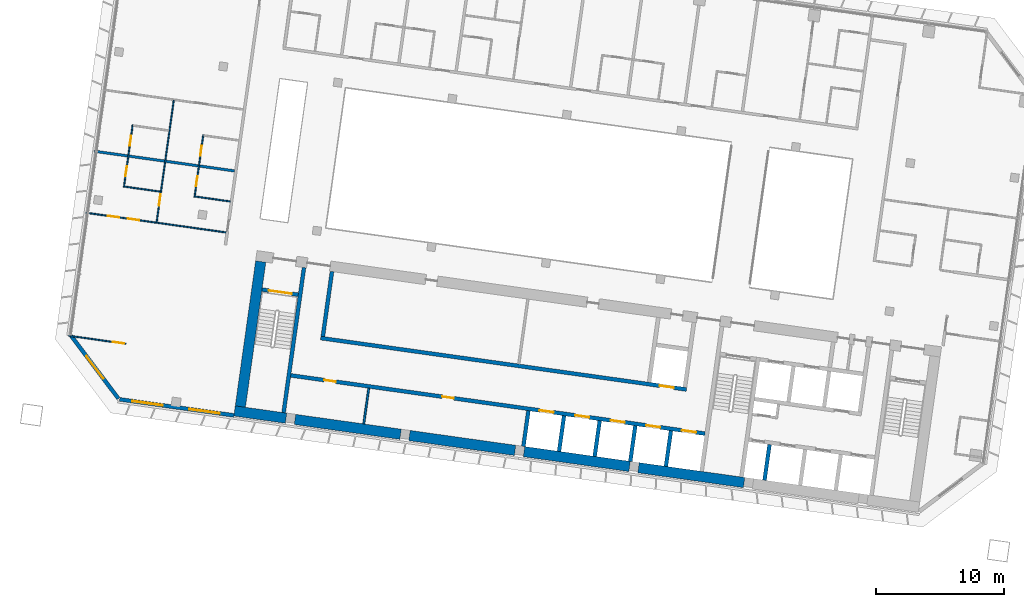
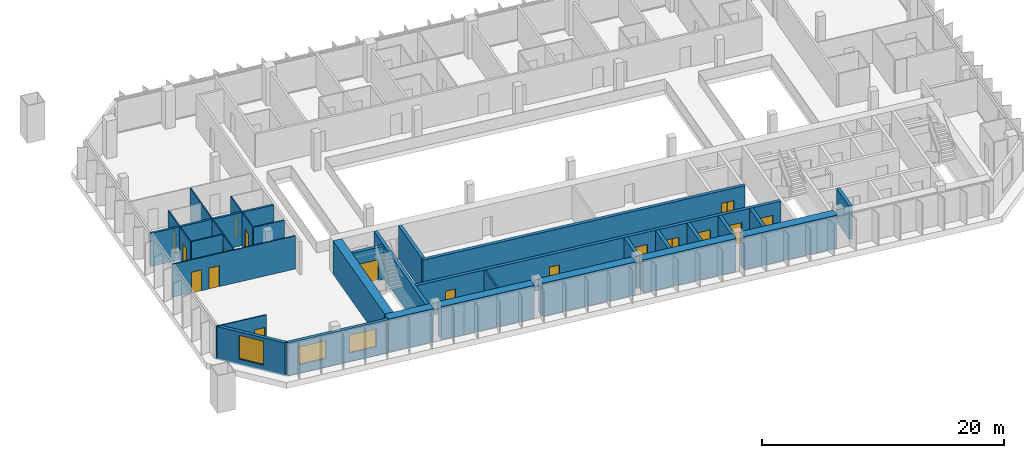
# One storey, part 14 of 25: 28 walls, 17 doors, 3 windows, 20 openings.
"""IFC4 building model written with IfcOpenShell, lengths in metres."""

from ifc_helpers import new_model, si_unit, direction, frame, frame_2d, origin, place, context, subcontext, project, spatial, rectangle, extrude, material, layer, layer_set, type_object, element, fill, save


model = new_model("IFC4")

# Units and contexts
model_context = context("Model", 3, precision=1e-05, world=origin(), true_north=direction((0.0, 1.0)))
body_context = subcontext(model_context, "Body", "Model", "MODEL_VIEW")
ifc_project = project(units=[si_unit("LENGTHUNIT", "METRE"), si_unit("AREAUNIT", "SQUARE_METRE"), si_unit("VOLUMEUNIT", "CUBIC_METRE"), si_unit("PLANEANGLEUNIT", "RADIAN"), si_unit("MASSUNIT", "GRAM", prefix="KILO")], contexts=[model_context])

# Site, building, storey
site_placement = place(None, origin())
site = spatial("IfcSite", under=ifc_project, at=site_placement, CompositionType="ELEMENT")
building_placement = place(site_placement, origin())
building = spatial("IfcBuilding", under=site, at=building_placement, Name="Mirante Cascada Hotel Towers", CompositionType="ELEMENT")
storey_placement = place(building_placement, frame((0.0, 0.0, 102.5)))
storey = spatial("IfcBuildingStorey", under=building, at=storey_placement, Name="L22", CompositionType="ELEMENT", Elevation=102.5)

# Walls
ifc_material_1 = material(Name="Fire-rated plasterboard on metal studs")
ifc_layer_1 = layer(ifc_material_1, 0.2)
ifc_layer_set_1 = layer_set([ifc_layer_1], Name="Compartment wall 200 EI 120")
wall_type_1 = type_object("IfcWallType", Name="Compartment wall 200 EI 120", PredefinedType="PARTITIONING", material=ifc_layer_set_1)
wall_1_placement = place(storey_placement, frame((-90.4064, 6.4896, 0.0), z_axis=(0.0, 0.0, 1.0), x_axis=(-0.990268, 0.1391733, 0.0)))
element("IfcWall", 1, at=wall_1_placement, inside=storey, type_object=wall_type_1, Name="Wall 1-L22-11", PredefinedType="PARTITIONING", context=body_context, shape_type="SweptSolid", body=[
    extrude(rectangle(XDim=11.0, YDim=0.2, at=frame_2d((5.5, 0.0))), origin(), (0.0, 0.0, 1.0), 3.35),
])
ifc_material_2 = material(Name="Masonry block", Category="masonry")
ifc_layer_2 = layer(ifc_material_2, 0.15)
ifc_layer_set_2 = layer_set([ifc_layer_2], Name="Core room partition 150 block EI 30")
wall_type_2 = type_object("IfcWallType", Name="Core room partition 150 block EI 30", PredefinedType="PARTITIONING", material=ifc_layer_set_2)
wall_2_placement = place(storey_placement, frame((-80.349, -13.2018, 0.0), z_axis=(0.0, 0.0, 1.0), x_axis=(0.139176, 0.9902677, 0.0)))
element("IfcWall", 2, at=wall_2_placement, inside=storey, type_object=wall_type_2, Name="Core wall partition T1 L22 5", PredefinedType="PARTITIONING", context=body_context, shape_type="SweptSolid", body=[
    extrude(rectangle(XDim=2.8001, YDim=0.15, at=frame_2d((1.4, 0.0))), origin(), (0.0, 0.0, 1.0), 3.35),
])

# Wall, opening, door
ifc_material_3 = material(Name="Plasterboard on metal studs")
ifc_layer_3 = layer(ifc_material_3, 0.1)
ifc_layer_set_3 = layer_set([ifc_layer_3], Name="Partition 100")
wall_type_3 = type_object("IfcWallType", Name="Partition 100", PredefinedType="PARTITIONING", material=ifc_layer_set_3)
wall_3_placement = place(storey_placement, frame((-98.8611, -6.9647, 0.0), z_axis=(0.0, 0.0, 1.0), x_axis=(-0.9902674, 0.1391779, 0.0)))
wall_3 = element("IfcWall", 3, at=wall_3_placement, inside=storey, type_object=wall_type_3, Name="Wall 1-L22-01", PredefinedType="PARTITIONING", context=body_context, shape_type="SweptSolid", body=[
    extrude(rectangle(XDim=4.5, YDim=0.1, at=frame_2d((2.25, 0.0))), origin(), (0.0, 0.0, 1.0), 3.35),
])
opening_1_placement = place(wall_3_placement, frame((0.15, 0.0, 0.0)))
opening_1 = element("IfcOpeningElement", 4, at=opening_1_placement, cuts=wall_3, Name="Opening D1-L22-01", PredefinedType="OPENING", context=body_context, shape_type="SweptSolid", body=[
    extrude(rectangle(XDim=0.9, YDim=2.1, at=frame_2d((0.45, 1.05))), frame((0.0, 0.05, 0.0), z_axis=(0.0, -1.0, 0.0), x_axis=(1.0, 0.0, 0.0)), (0.0, 0.0, 1.0), 0.1),
])
ifc_material_4 = material(Name="Timber door leaf", Category="wood")
door_type_1 = type_object("IfcDoorType", Name="Room door DG3 900x2100", OperationType="SINGLE_SWING_LEFT", PredefinedType="DOOR", material=ifc_material_4)
door_1_placement = place(opening_1_placement, frame((0.9, 0.0, 0.0), z_axis=(0.0, 0.0, 1.0), x_axis=(-1.0, 0.0, 0.0)))
door_1 = element("IfcDoor", 5, at=door_1_placement, inside=storey, type_object=door_type_1, Name="Door D1-L22-01", OperationType="SINGLE_SWING_RIGHT", OverallHeight=2.1, OverallWidth=0.9, PredefinedType="DOOR", context=body_context, shape_type="SweptSolid", body=[
    extrude(rectangle(XDim=0.9, YDim=2.1, at=frame_2d((0.45, 1.05))), frame((0.0, 0.025, 0.0), z_axis=(0.0, -1.0, 0.0), x_axis=(1.0, 0.0, 0.0)), (0.0, 0.0, 1.0), 0.05),
])
fill(opening_1, door_1)

# Wall, openings, doors
wall_4_placement = place(storey_placement, frame((-91.079, 1.7033, 0.0), z_axis=(0.0, 0.0, 1.0), x_axis=(-0.9902682, 0.1391721, 0.0)))
wall_4 = element("IfcWall", 6, at=wall_4_placement, inside=storey, type_object=wall_type_3, Name="Wall 1-L22-05", PredefinedType="PARTITIONING", context=body_context, shape_type="SweptSolid", body=[
    extrude(rectangle(XDim=11.0001, YDim=0.1, at=frame_2d((5.5, 0.0))), origin(), (0.0, 0.0, 1.0), 3.35),
])
opening_2_placement = place(wall_4_placement, frame((6.8, 0.0, 0.0)))
opening_2 = element("IfcOpeningElement", 7, at=opening_2_placement, cuts=wall_4, Name="Opening D1-L22-03", PredefinedType="OPENING", context=body_context, shape_type="SweptSolid", body=[
    extrude(rectangle(XDim=0.9, YDim=2.1, at=frame_2d((0.45, 1.05))), frame((0.0, 0.05, 0.0), z_axis=(0.0, -1.0, 0.0), x_axis=(1.0, 0.0, 0.0)), (0.0, 0.0, 1.0), 0.1),
])
opening_3_placement = place(wall_4_placement, frame((8.375, 0.0, 0.0)))
opening_3 = element("IfcOpeningElement", 8, at=opening_3_placement, cuts=wall_4, Name="Opening D1-L22-04", PredefinedType="OPENING", context=body_context, shape_type="SweptSolid", body=[
    extrude(rectangle(XDim=0.9, YDim=2.1, at=frame_2d((0.45, 1.05))), frame((0.0, 0.05, 0.0), z_axis=(0.0, -1.0, 0.0), x_axis=(1.0, 0.0, 0.0)), (0.0, 0.0, 1.0), 0.1),
])
door_2_placement = place(opening_2_placement, origin())
door_2 = element("IfcDoor", 9, at=door_2_placement, inside=storey, type_object=door_type_1, Name="Door D1-L22-03", OperationType="SINGLE_SWING_LEFT", OverallHeight=2.1, OverallWidth=0.9, PredefinedType="DOOR", context=body_context, shape_type="SweptSolid", body=[
    extrude(rectangle(XDim=0.9, YDim=2.1, at=frame_2d((0.45, 1.05))), frame((0.0, 0.025, 0.0), z_axis=(0.0, -1.0, 0.0), x_axis=(1.0, 0.0, 0.0)), (0.0, 0.0, 1.0), 0.05),
])
fill(opening_2, door_2)
door_3_placement = place(opening_3_placement, origin())
door_3 = element("IfcDoor", 10, at=door_3_placement, inside=storey, type_object=door_type_1, Name="Door D1-L22-04", OperationType="SINGLE_SWING_LEFT", OverallHeight=2.1, OverallWidth=0.9, PredefinedType="DOOR", context=body_context, shape_type="SweptSolid", body=[
    extrude(rectangle(XDim=0.9, YDim=2.1, at=frame_2d((0.45, 1.05))), frame((0.0, 0.025, 0.0), z_axis=(0.0, -1.0, 0.0), x_axis=(1.0, 0.0, 0.0)), (0.0, 0.0, 1.0), 0.05),
])
fill(opening_3, door_3)

# Walls
wall_5_placement = place(storey_placement, frame((-93.4636, 4.4956, 0.0), z_axis=(0.0, 0.0, 1.0), x_axis=(0.9902691, -0.1391657, 0.0)))
element("IfcWall", 11, at=wall_5_placement, inside=storey, type_object=wall_type_3, Name="Wall 1-L22-06", PredefinedType="PARTITIONING", context=body_context, shape_type="SweptSolid", body=[
    extrude(rectangle(XDim=2.75, YDim=0.1, at=frame_2d((1.375, 0.0))), origin(), (0.0, 0.0, 1.0), 3.35),
])
wall_6_placement = place(storey_placement, frame((-96.1868, 4.8784, 0.0), z_axis=(0.0, 0.0, 1.0), x_axis=(-0.9902677, 0.139176, 0.0)))
element("IfcWall", 12, at=wall_6_placement, inside=storey, type_object=wall_type_3, Name="Wall 1-L22-07", PredefinedType="PARTITIONING", context=body_context, shape_type="SweptSolid", body=[
    extrude(rectangle(XDim=2.8001, YDim=0.1, at=frame_2d((1.4, 0.0))), origin(), (0.0, 0.0, 1.0), 3.35),
])

# Wall, openings, doors
wall_7_placement = place(storey_placement, frame((-93.5201, 4.4531, 0.0), z_axis=(0.0, 0.0, 1.0), x_axis=(0.1391838, 0.9902666, 0.0)))
wall_7 = element("IfcWall", 13, at=wall_7_placement, inside=storey, type_object=wall_type_3, Name="Wall 1-L22-61", PredefinedType="PARTITIONING", context=body_context, shape_type="SweptSolid", body=[
    extrude(rectangle(XDim=4.9, YDim=0.1, at=frame_2d((2.45, 0.0))), origin(), (0.0, 0.0, 1.0), 3.35),
])
opening_4_placement = place(wall_7_placement, frame((0.85, 0.0, 0.0)))
opening_4 = element("IfcOpeningElement", 14, at=opening_4_placement, cuts=wall_7, Name="Opening D1-L22-39", PredefinedType="OPENING", context=body_context, shape_type="SweptSolid", body=[
    extrude(rectangle(XDim=0.8, YDim=2.1, at=frame_2d((0.4, 1.05))), frame((0.0, 0.05, 0.0), z_axis=(0.0, -1.0, 0.0), x_axis=(1.0, 0.0, 0.0)), (0.0, 0.0, 1.0), 0.1),
])
opening_5_placement = place(wall_7_placement, frame((3.25, 0.0, 0.0)))
opening_5 = element("IfcOpeningElement", 15, at=opening_5_placement, cuts=wall_7, Name="Opening D1-L22-40", PredefinedType="OPENING", context=body_context, shape_type="SweptSolid", body=[
    extrude(rectangle(XDim=0.8, YDim=2.1, at=frame_2d((0.4, 1.05))), frame((0.0, 0.05, 0.0), z_axis=(0.0, -1.0, 0.0), x_axis=(1.0, 0.0, 0.0)), (0.0, 0.0, 1.0), 0.1),
])
ifc_material_5 = material(Name="Timber door leaf", Category="wood")
door_type_2 = type_object("IfcDoorType", Name="Bathroom door DG4 800x2100", OperationType="SINGLE_SWING_LEFT", PredefinedType="DOOR", material=ifc_material_5)
door_4_placement = place(opening_4_placement, frame((0.8, 0.0, 0.0), z_axis=(0.0, 0.0, 1.0), x_axis=(-1.0, 0.0, 0.0)))
door_4 = element("IfcDoor", 16, at=door_4_placement, inside=storey, type_object=door_type_2, Name="Door D1-L22-39", OperationType="SINGLE_SWING_RIGHT", OverallHeight=2.1, OverallWidth=0.8, PredefinedType="DOOR", context=body_context, shape_type="SweptSolid", body=[
    extrude(rectangle(XDim=0.8, YDim=2.1, at=frame_2d((0.4, 1.05))), frame((0.0, 0.025, 0.0), z_axis=(0.0, -1.0, 0.0), x_axis=(1.0, 0.0, 0.0)), (0.0, 0.0, 1.0), 0.05),
])
fill(opening_4, door_4)
door_5_placement = place(opening_5_placement, frame((0.8, 0.0, 0.0), z_axis=(0.0, 0.0, 1.0), x_axis=(-1.0, 0.0, 0.0)))
door_5 = element("IfcDoor", 17, at=door_5_placement, inside=storey, type_object=door_type_2, Name="Door D1-L22-40", OperationType="SINGLE_SWING_RIGHT", OverallHeight=2.1, OverallWidth=0.8, PredefinedType="DOOR", context=body_context, shape_type="SweptSolid", body=[
    extrude(rectangle(XDim=0.8, YDim=2.1, at=frame_2d((0.4, 1.05))), frame((0.0, 0.025, 0.0), z_axis=(0.0, -1.0, 0.0), x_axis=(1.0, 0.0, 0.0)), (0.0, 0.0, 1.0), 0.05),
])
fill(opening_5, door_5)

# Wall, opening, door
wall_8_placement = place(storey_placement, frame((-95.1376, 11.9848, 0.0), z_axis=(0.0, 0.0, 1.0), x_axis=(-0.1391717, -0.9902683, 0.0)))
wall_8 = element("IfcWall", 18, at=wall_8_placement, inside=storey, type_object=wall_type_3, Name="Wall 1-L22-62", PredefinedType="PARTITIONING", context=body_context, shape_type="SweptSolid", body=[
    extrude(rectangle(XDim=9.5666, YDim=0.1, at=frame_2d((4.7833, 0.0))), origin(), (0.0, 0.0, 1.0), 3.35),
])
opening_6_placement = place(wall_8_placement, frame((7.3666, 0.0, 0.0)))
opening_6 = element("IfcOpeningElement", 19, at=opening_6_placement, cuts=wall_8, Name="Opening D1-L22-41", PredefinedType="OPENING", context=body_context, shape_type="SweptSolid", body=[
    extrude(rectangle(XDim=0.9, YDim=2.1, at=frame_2d((0.45, 1.05))), frame((0.0, 0.05, 0.0), z_axis=(0.0, -1.0, 0.0), x_axis=(1.0, 0.0, 0.0)), (0.0, 0.0, 1.0), 0.1),
])
door_6_placement = place(opening_6_placement, origin())
door_6 = element("IfcDoor", 20, at=door_6_placement, inside=storey, type_object=door_type_1, Name="Door D1-L22-41", OperationType="SINGLE_SWING_LEFT", OverallHeight=2.1, OverallWidth=0.9, PredefinedType="DOOR", context=body_context, shape_type="SweptSolid", body=[
    extrude(rectangle(XDim=0.9, YDim=2.1, at=frame_2d((0.45, 1.05))), frame((0.0, 0.025, 0.0), z_axis=(0.0, -1.0, 0.0), x_axis=(1.0, 0.0, 0.0)), (0.0, 0.0, 1.0), 0.05),
])
fill(opening_6, door_6)

# Wall, openings, doors
wall_9_placement = place(storey_placement, frame((-99.0161, 5.2255, 0.0), z_axis=(0.0, 0.0, 1.0), x_axis=(0.1391838, 0.9902666, 0.0)))
wall_9 = element("IfcWall", 21, at=wall_9_placement, inside=storey, type_object=wall_type_3, Name="Wall 1-L22-63", PredefinedType="PARTITIONING", context=body_context, shape_type="SweptSolid", body=[
    extrude(rectangle(XDim=4.9, YDim=0.1, at=frame_2d((2.45, 0.0))), origin(), (0.0, 0.0, 1.0), 3.35),
])
opening_7_placement = place(wall_9_placement, frame((0.85, 0.0, 0.0)))
opening_7 = element("IfcOpeningElement", 22, at=opening_7_placement, cuts=wall_9, Name="Opening D1-L22-42", PredefinedType="OPENING", context=body_context, shape_type="SweptSolid", body=[
    extrude(rectangle(XDim=0.8, YDim=2.1, at=frame_2d((0.4, 1.05))), frame((0.0, 0.05, 0.0), z_axis=(0.0, -1.0, 0.0), x_axis=(1.0, 0.0, 0.0)), (0.0, 0.0, 1.0), 0.1),
])
opening_8_placement = place(wall_9_placement, frame((3.25, 0.0, 0.0)))
opening_8 = element("IfcOpeningElement", 23, at=opening_8_placement, cuts=wall_9, Name="Opening D1-L22-43", PredefinedType="OPENING", context=body_context, shape_type="SweptSolid", body=[
    extrude(rectangle(XDim=0.8, YDim=2.1, at=frame_2d((0.4, 1.05))), frame((0.0, 0.05, 0.0), z_axis=(0.0, -1.0, 0.0), x_axis=(1.0, 0.0, 0.0)), (0.0, 0.0, 1.0), 0.1),
])
door_7_placement = place(opening_7_placement, frame((0.8, 0.0, 0.0), z_axis=(0.0, 0.0, 1.0), x_axis=(-1.0, 0.0, 0.0)))
door_7 = element("IfcDoor", 24, at=door_7_placement, inside=storey, type_object=door_type_2, Name="Door D1-L22-42", OperationType="SINGLE_SWING_RIGHT", OverallHeight=2.1, OverallWidth=0.8, PredefinedType="DOOR", context=body_context, shape_type="SweptSolid", body=[
    extrude(rectangle(XDim=0.8, YDim=2.1, at=frame_2d((0.4, 1.05))), frame((0.0, 0.025, 0.0), z_axis=(0.0, -1.0, 0.0), x_axis=(1.0, 0.0, 0.0)), (0.0, 0.0, 1.0), 0.05),
])
fill(opening_7, door_7)
door_8_placement = place(opening_8_placement, frame((0.8, 0.0, 0.0), z_axis=(0.0, 0.0, 1.0), x_axis=(-1.0, 0.0, 0.0)))
door_8 = element("IfcDoor", 25, at=door_8_placement, inside=storey, type_object=door_type_2, Name="Door D1-L22-43", OperationType="SINGLE_SWING_RIGHT", OverallHeight=2.1, OverallWidth=0.8, PredefinedType="DOOR", context=body_context, shape_type="SweptSolid", body=[
    extrude(rectangle(XDim=0.8, YDim=2.1, at=frame_2d((0.4, 1.05))), frame((0.0, 0.025, 0.0), z_axis=(0.0, -1.0, 0.0), x_axis=(1.0, 0.0, 0.0)), (0.0, 0.0, 1.0), 0.05),
])
fill(opening_8, door_8)

# Wall, openings, windows
ifc_material_6 = material(Name="Precast concrete C40/50", Category="concrete")
ifc_layer_4 = layer(ifc_material_6, 0.3)
ifc_layer_set_4 = layer_set([ifc_layer_4], Name="Precast concrete C40/50 cladding wall 300")
wall_type_4 = type_object("IfcWallType", Name="Precast concrete C40/50 cladding wall 300", PredefinedType="STANDARD", material=ifc_layer_set_4)
wall_10_placement = place(storey_placement, frame((-90.4551, -12.5388, 0.0), z_axis=(0.0, 0.0, 1.0), x_axis=(-0.990268, 0.1391734, 0.0)))
wall_10 = element("IfcWall", 26, at=wall_10_placement, inside=storey, type_object=wall_type_4, Name="Rear cladding wall T1 L22 1", PredefinedType="STANDARD", context=body_context, shape_type="SweptSolid", body=[
    extrude(rectangle(XDim=8.9759, YDim=0.3, at=frame_2d((4.488, 0.0))), origin(), (0.0, 0.0, 1.0), 3.35),
])
opening_9_placement = place(wall_10_placement, frame((1.1012, 0.0, 0.9)))
opening_9 = element("IfcOpeningElement", 27, at=opening_9_placement, cuts=wall_10, Name="Opening W1-22-01", PredefinedType="OPENING", context=body_context, shape_type="SweptSolid", body=[
    extrude(rectangle(XDim=2.4, YDim=1.8, at=frame_2d((1.2, 0.9))), frame((0.0, 0.15, 0.0), z_axis=(0.0, -1.0, 0.0), x_axis=(1.0, 0.0, 0.0)), (0.0, 0.0, 1.0), 0.3),
])
opening_10_placement = place(wall_10_placement, frame((5.5923, 0.0, 0.9)))
opening_10 = element("IfcOpeningElement", 28, at=opening_10_placement, cuts=wall_10, Name="Opening W1-22-02", PredefinedType="OPENING", context=body_context, shape_type="SweptSolid", body=[
    extrude(rectangle(XDim=2.4, YDim=1.8, at=frame_2d((1.2, 0.9))), frame((0.0, 0.15, 0.0), z_axis=(0.0, -1.0, 0.0), x_axis=(1.0, 0.0, 0.0)), (0.0, 0.0, 1.0), 0.3),
])
ifc_material_7 = material(Name="Aluminium frame with clear double glazing", Category="aluminium")
window_type_1 = type_object("IfcWindowType", Name="Punched window 2400x1800", PartitioningType="DOUBLE_PANEL_VERTICAL", PredefinedType="WINDOW", material=ifc_material_7)
window_1_placement = place(opening_9_placement, origin())
window_1 = element("IfcWindow", 29, at=window_1_placement, inside=storey, type_object=window_type_1, Name="Window W1-22-01", OverallHeight=1.8, OverallWidth=2.4, PartitioningType="SINGLE_PANEL", PredefinedType="WINDOW", context=body_context, shape_type="SweptSolid", body=[
    extrude(rectangle(XDim=2.4, YDim=1.8, at=frame_2d((1.2, 0.9))), frame((0.0, 0.03, 0.0), z_axis=(0.0, -1.0, 0.0), x_axis=(1.0, 0.0, 0.0)), (0.0, 0.0, 1.0), 0.06),
])
fill(opening_9, window_1)
window_2_placement = place(opening_10_placement, origin())
window_2 = element("IfcWindow", 30, at=window_2_placement, inside=storey, type_object=window_type_1, Name="Window W1-22-02", OverallHeight=1.8, OverallWidth=2.4, PartitioningType="SINGLE_PANEL", PredefinedType="WINDOW", context=body_context, shape_type="SweptSolid", body=[
    extrude(rectangle(XDim=2.4, YDim=1.8, at=frame_2d((1.2, 0.9))), frame((0.0, 0.03, 0.0), z_axis=(0.0, -1.0, 0.0), x_axis=(1.0, 0.0, 0.0)), (0.0, 0.0, 1.0), 0.06),
])
fill(opening_10, window_2)

# Wall, opening, window
wall_11_placement = place(storey_placement, frame((-99.4423, -11.2315, 0.0), z_axis=(0.0, 0.0, 1.0), x_axis=(-0.6018141, 0.7986362, 0.0)))
wall_11 = element("IfcWall", 31, at=wall_11_placement, inside=storey, type_object=wall_type_4, Name="Corner cladding wall T1 L22 rear outer", PredefinedType="STANDARD", context=body_context, shape_type="SweptSolid", body=[
    extrude(rectangle(XDim=6.1157, YDim=0.3, at=frame_2d((3.0578, 0.0))), origin(), (0.0, 0.0, 1.0), 3.35),
])
opening_11_placement = place(wall_11_placement, frame((1.9578, 0.0, 0.6)))
opening_11 = element("IfcOpeningElement", 32, at=opening_11_placement, cuts=wall_11, Name="Opening W1-22-03", PredefinedType="OPENING", context=body_context, shape_type="SweptSolid", body=[
    extrude(rectangle(XDim=2.2, YDim=2.4, at=frame_2d((1.1, 1.2))), frame((0.0, 0.15, 0.0), z_axis=(0.0, -1.0, 0.0), x_axis=(1.0, 0.0, 0.0)), (0.0, 0.0, 1.0), 0.3),
])
ifc_material_8 = material(Name="Aluminium frame with clear double glazing", Category="aluminium")
window_type_2 = type_object("IfcWindowType", Name="Corner suite window 2200x2400", PartitioningType="DOUBLE_PANEL_VERTICAL", PredefinedType="WINDOW", material=ifc_material_8)
window_3_placement = place(opening_11_placement, origin())
window_3 = element("IfcWindow", 33, at=window_3_placement, inside=storey, type_object=window_type_2, Name="Window W1-22-03", OverallHeight=2.4, OverallWidth=2.2, PartitioningType="SINGLE_PANEL", PredefinedType="WINDOW", context=body_context, shape_type="SweptSolid", body=[
    extrude(rectangle(XDim=2.2, YDim=2.4, at=frame_2d((1.1, 1.2))), frame((0.0, 0.03, 0.0), z_axis=(0.0, -1.0, 0.0), x_axis=(1.0, 0.0, 0.0)), (0.0, 0.0, 1.0), 0.06),
])
fill(opening_11, window_3)

# Wall
ifc_material_9 = material(Name="Concrete C50/60", Category="concrete")
ifc_layer_5 = layer(ifc_material_9, 0.3)
ifc_layer_set_5 = layer_set([ifc_layer_5], Name="RC core wall 300 C50/60")
wall_type_5 = type_object("IfcWallType", Name="RC core wall 300 C50/60", PredefinedType="SHEAR", material=ifc_layer_set_5)
wall_12_placement = place(storey_placement, frame((-86.5877, -12.325, 0.0), z_axis=(0.0, 0.0, 1.0), x_axis=(0.1391749, 0.9902678, 0.0)))
element("IfcWall", 34, at=wall_12_placement, inside=storey, type_object=wall_type_5, Name="Core wall T1:L22:8", PredefinedType="SHEAR", context=body_context, shape_type="SweptSolid", body=[
    extrude(rectangle(XDim=11.4, YDim=0.3, at=frame_2d((5.7, 0.0))), origin(), (0.0, 0.0, 1.0), 3.35),
])

# Wall, opening, door
wall_13_placement = place(storey_placement, frame((-85.4489, -3.1441, 0.0), z_axis=(0.0, 0.0, 1.0), x_axis=(-0.9902697, 0.1391613, 0.0)))
wall_13 = element("IfcWall", 35, at=wall_13_placement, inside=storey, type_object=wall_type_5, Name="Core wall T1:L22:11", PredefinedType="SHEAR", context=body_context, shape_type="SweptSolid", body=[
    extrude(rectangle(XDim=2.8499, YDim=0.3, at=frame_2d((1.425, 0.0))), origin(), (0.0, 0.0, 1.0), 3.35),
])
opening_12_placement = place(wall_13_placement, frame((0.525, 0.0, 0.0)))
opening_12 = element("IfcOpeningElement", 36, at=opening_12_placement, cuts=wall_13, Name="Opening D1-22-C17", PredefinedType="OPENING", context=body_context, shape_type="SweptSolid", body=[
    extrude(rectangle(XDim=1.8, YDim=2.1, at=frame_2d((0.9, 1.05))), frame((0.0, 0.15, 0.0), z_axis=(0.0, -1.0, 0.0), x_axis=(1.0, 0.0, 0.0)), (0.0, 0.0, 1.0), 0.3),
])
ifc_material_10 = material(Name="Hollow metal fire door leaf")
door_type_3 = type_object("IfcDoorType", Name="Double fire door 1800x2100 FD60", OperationType="DOUBLE_DOOR_SINGLE_SWING", PredefinedType="DOOR", material=ifc_material_10)
door_9_placement = place(opening_12_placement, origin())
door_9 = element("IfcDoor", 37, at=door_9_placement, inside=storey, type_object=door_type_3, Name="Stair door T1 L22 17", OperationType="DOUBLE_DOOR_SINGLE_SWING", OverallHeight=2.1, OverallWidth=1.8, PredefinedType="DOOR", context=body_context, shape_type="SweptSolid", body=[
    extrude(rectangle(XDim=0.895, YDim=2.1, at=frame_2d((0.4475, 1.05))), frame((0.0, 0.025, 0.0), z_axis=(0.0, -1.0, 0.0), x_axis=(1.0, 0.0, 0.0)), (0.0, 0.0, 1.0), 0.05),
    extrude(rectangle(XDim=0.895, YDim=2.1, at=frame_2d((1.3525, 1.05))), frame((0.0, 0.025, 0.0), z_axis=(0.0, -1.0, 0.0), x_axis=(1.0, 0.0, 0.0)), (0.0, 0.0, 1.0), 0.05),
])
fill(opening_12, door_9)

# Wall
wall_14_placement = place(storey_placement, frame((-49.1555, -17.5857, 0.0), z_axis=(0.0, 0.0, 1.0), x_axis=(0.1391459, 0.9902719, 0.0)))
element("IfcWall", 38, at=wall_14_placement, inside=storey, type_object=wall_type_5, Name="Core wall T1:L22:17", PredefinedType="SHEAR", context=body_context, shape_type="SweptSolid", body=[
    extrude(rectangle(XDim=2.7999, YDim=0.3, at=frame_2d((1.4, 0.0))), origin(), (0.0, 0.0, 1.0), 3.35),
])

# Wall, openings, doors
wall_15_placement = place(storey_placement, frame((-53.7953, -13.9547, 0.0), z_axis=(0.0, 0.0, 1.0), x_axis=(-0.990268, 0.1391733, 0.0)))
wall_15 = element("IfcWall", 39, at=wall_15_placement, inside=storey, type_object=wall_type_5, Name="Core wall T1:L22:25", PredefinedType="SHEAR", context=body_context, shape_type="SweptSolid", body=[
    extrude(rectangle(XDim=32.5501, YDim=0.3, at=frame_2d((16.275, 0.0))), origin(), (0.0, 0.0, 1.0), 3.35),
])
opening_13_placement = place(wall_15_placement, frame((0.7, 0.0, 0.0)))
opening_13 = element("IfcOpeningElement", 40, at=opening_13_placement, cuts=wall_15, Name="Opening LD", PredefinedType="OPENING", context=body_context, shape_type="SweptSolid", body=[
    extrude(rectangle(XDim=1.1, YDim=2.1, at=frame_2d((0.55, 1.05))), frame((0.0, 0.15, 0.0), z_axis=(0.0, -1.0, 0.0), x_axis=(1.0, 0.0, 0.0)), (0.0, 0.0, 1.0), 0.3),
])
opening_14_placement = place(wall_15_placement, frame((3.5, 0.0, 0.0)))
opening_14 = element("IfcOpeningElement", 41, at=opening_14_placement, cuts=wall_15, Name="Opening LD", PredefinedType="OPENING", context=body_context, shape_type="SweptSolid", body=[
    extrude(rectangle(XDim=1.1, YDim=2.1, at=frame_2d((0.55, 1.05))), frame((0.0, 0.15, 0.0), z_axis=(0.0, -1.0, 0.0), x_axis=(1.0, 0.0, 0.0)), (0.0, 0.0, 1.0), 0.3),
])
opening_15_placement = place(wall_15_placement, frame((6.3, 0.0, 0.0)))
opening_15 = element("IfcOpeningElement", 42, at=opening_15_placement, cuts=wall_15, Name="Opening LD", PredefinedType="OPENING", context=body_context, shape_type="SweptSolid", body=[
    extrude(rectangle(XDim=1.1, YDim=2.1, at=frame_2d((0.55, 1.05))), frame((0.0, 0.15, 0.0), z_axis=(0.0, -1.0, 0.0), x_axis=(1.0, 0.0, 0.0)), (0.0, 0.0, 1.0), 0.3),
])
opening_16_placement = place(wall_15_placement, frame((9.1, 0.0, 0.0)))
opening_16 = element("IfcOpeningElement", 43, at=opening_16_placement, cuts=wall_15, Name="Opening LD", PredefinedType="OPENING", context=body_context, shape_type="SweptSolid", body=[
    extrude(rectangle(XDim=1.1, YDim=2.1, at=frame_2d((0.55, 1.05))), frame((0.0, 0.15, 0.0), z_axis=(0.0, -1.0, 0.0), x_axis=(1.0, 0.0, 0.0)), (0.0, 0.0, 1.0), 0.3),
])
opening_17_placement = place(wall_15_placement, frame((11.9, 0.0, 0.0)))
opening_17 = element("IfcOpeningElement", 44, at=opening_17_placement, cuts=wall_15, Name="Opening LD", PredefinedType="OPENING", context=body_context, shape_type="SweptSolid", body=[
    extrude(rectangle(XDim=1.1, YDim=2.1, at=frame_2d((0.55, 1.05))), frame((0.0, 0.15, 0.0), z_axis=(0.0, -1.0, 0.0), x_axis=(1.0, 0.0, 0.0)), (0.0, 0.0, 1.0), 0.3),
])
opening_18_placement = place(wall_15_placement, frame((19.75, 0.0, 0.0)))
opening_18 = element("IfcOpeningElement", 45, at=opening_18_placement, cuts=wall_15, Name="Opening D1-22-C26", PredefinedType="OPENING", context=body_context, shape_type="SweptSolid", body=[
    extrude(rectangle(XDim=0.9, YDim=2.1, at=frame_2d((0.45, 1.05))), frame((0.0, 0.15, 0.0), z_axis=(0.0, -1.0, 0.0), x_axis=(1.0, 0.0, 0.0)), (0.0, 0.0, 1.0), 0.3),
])
opening_19_placement = place(wall_15_placement, frame((29.025, 0.0, 0.0)))
opening_19 = element("IfcOpeningElement", 46, at=opening_19_placement, cuts=wall_15, Name="Opening D1-22-C27", PredefinedType="OPENING", context=body_context, shape_type="SweptSolid", body=[
    extrude(rectangle(XDim=0.9, YDim=2.1, at=frame_2d((0.45, 1.05))), frame((0.0, 0.15, 0.0), z_axis=(0.0, -1.0, 0.0), x_axis=(1.0, 0.0, 0.0)), (0.0, 0.0, 1.0), 0.3),
])
ifc_material_11 = material(Name="Hollow metal fire door leaf")
door_type_4 = type_object("IfcDoorType", Name="Fire door 900x2100 FD60", OperationType="NOTDEFINED", PredefinedType="DOOR", material=ifc_material_11)
door_10_placement = place(opening_18_placement, origin())
door_10 = element("IfcDoor", 47, at=door_10_placement, inside=storey, type_object=door_type_4, Name="Room door T1 L22 26", OperationType="SINGLE_SWING_LEFT", OverallHeight=2.1, OverallWidth=0.9, PredefinedType="DOOR", context=body_context, shape_type="SweptSolid", body=[
    extrude(rectangle(XDim=0.9, YDim=2.1, at=frame_2d((0.45, 1.05))), frame((0.0, 0.025, 0.0), z_axis=(0.0, -1.0, 0.0), x_axis=(1.0, 0.0, 0.0)), (0.0, 0.0, 1.0), 0.05),
])
fill(opening_18, door_10)
door_11_placement = place(opening_19_placement, origin())
door_11 = element("IfcDoor", 48, at=door_11_placement, inside=storey, type_object=door_type_4, Name="Room door T1 L22 27", OperationType="SINGLE_SWING_LEFT", OverallHeight=2.1, OverallWidth=0.9, PredefinedType="DOOR", context=body_context, shape_type="SweptSolid", body=[
    extrude(rectangle(XDim=0.9, YDim=2.1, at=frame_2d((0.45, 1.05))), frame((0.0, 0.025, 0.0), z_axis=(0.0, -1.0, 0.0), x_axis=(1.0, 0.0, 0.0)), (0.0, 0.0, 1.0), 0.05),
])
fill(opening_19, door_11)
ifc_material_12 = material(Name="Stainless steel", Category="steel")
door_type_5 = type_object("IfcDoorType", Name="Lift landing door 1100x2100 EI 120", OperationType="DOUBLE_DOOR_SLIDING", PredefinedType="DOOR", material=ifc_material_12)
door_12_placement = place(opening_13_placement, origin())
door_12 = element("IfcDoor", 49, at=door_12_placement, inside=storey, type_object=door_type_5, Name="Lift landing door LR1-1 L22", OperationType="DOUBLE_DOOR_SLIDING", OverallHeight=2.1, OverallWidth=1.1, PredefinedType="DOOR", context=body_context, shape_type="SweptSolid", body=[
    extrude(rectangle(XDim=0.545, YDim=2.1, at=frame_2d((0.2725, 1.05))), frame((0.0, 0.025, 0.0), z_axis=(0.0, -1.0, 0.0), x_axis=(1.0, 0.0, 0.0)), (0.0, 0.0, 1.0), 0.05),
    extrude(rectangle(XDim=0.545, YDim=2.1, at=frame_2d((0.8275, 1.05))), frame((0.0, 0.025, 0.0), z_axis=(0.0, -1.0, 0.0), x_axis=(1.0, 0.0, 0.0)), (0.0, 0.0, 1.0), 0.05),
])
fill(opening_13, door_12)
door_13_placement = place(opening_14_placement, origin())
door_13 = element("IfcDoor", 50, at=door_13_placement, inside=storey, type_object=door_type_5, Name="Lift landing door LR1-2 L22", OperationType="DOUBLE_DOOR_SLIDING", OverallHeight=2.1, OverallWidth=1.1, PredefinedType="DOOR", context=body_context, shape_type="SweptSolid", body=[
    extrude(rectangle(XDim=0.545, YDim=2.1, at=frame_2d((0.2725, 1.05))), frame((0.0, 0.025, 0.0), z_axis=(0.0, -1.0, 0.0), x_axis=(1.0, 0.0, 0.0)), (0.0, 0.0, 1.0), 0.05),
    extrude(rectangle(XDim=0.545, YDim=2.1, at=frame_2d((0.8275, 1.05))), frame((0.0, 0.025, 0.0), z_axis=(0.0, -1.0, 0.0), x_axis=(1.0, 0.0, 0.0)), (0.0, 0.0, 1.0), 0.05),
])
fill(opening_14, door_13)
door_14_placement = place(opening_15_placement, origin())
door_14 = element("IfcDoor", 51, at=door_14_placement, inside=storey, type_object=door_type_5, Name="Lift landing door SV1-1 L22", OperationType="DOUBLE_DOOR_SLIDING", OverallHeight=2.1, OverallWidth=1.1, PredefinedType="DOOR", context=body_context, shape_type="SweptSolid", body=[
    extrude(rectangle(XDim=0.545, YDim=2.1, at=frame_2d((0.2725, 1.05))), frame((0.0, 0.025, 0.0), z_axis=(0.0, -1.0, 0.0), x_axis=(1.0, 0.0, 0.0)), (0.0, 0.0, 1.0), 0.05),
    extrude(rectangle(XDim=0.545, YDim=2.1, at=frame_2d((0.8275, 1.05))), frame((0.0, 0.025, 0.0), z_axis=(0.0, -1.0, 0.0), x_axis=(1.0, 0.0, 0.0)), (0.0, 0.0, 1.0), 0.05),
])
fill(opening_15, door_14)
door_15_placement = place(opening_16_placement, origin())
door_15 = element("IfcDoor", 52, at=door_15_placement, inside=storey, type_object=door_type_5, Name="Lift landing door SV1-2 L22", OperationType="DOUBLE_DOOR_SLIDING", OverallHeight=2.1, OverallWidth=1.1, PredefinedType="DOOR", context=body_context, shape_type="SweptSolid", body=[
    extrude(rectangle(XDim=0.545, YDim=2.1, at=frame_2d((0.2725, 1.05))), frame((0.0, 0.025, 0.0), z_axis=(0.0, -1.0, 0.0), x_axis=(1.0, 0.0, 0.0)), (0.0, 0.0, 1.0), 0.05),
    extrude(rectangle(XDim=0.545, YDim=2.1, at=frame_2d((0.8275, 1.05))), frame((0.0, 0.025, 0.0), z_axis=(0.0, -1.0, 0.0), x_axis=(1.0, 0.0, 0.0)), (0.0, 0.0, 1.0), 0.05),
])
fill(opening_16, door_15)
door_16_placement = place(opening_17_placement, origin())
door_16 = element("IfcDoor", 53, at=door_16_placement, inside=storey, type_object=door_type_5, Name="Lift landing door SV1-3 L22", OperationType="DOUBLE_DOOR_SLIDING", OverallHeight=2.1, OverallWidth=1.1, PredefinedType="DOOR", context=body_context, shape_type="SweptSolid", body=[
    extrude(rectangle(XDim=0.545, YDim=2.1, at=frame_2d((0.2725, 1.05))), frame((0.0, 0.025, 0.0), z_axis=(0.0, -1.0, 0.0), x_axis=(1.0, 0.0, 0.0)), (0.0, 0.0, 1.0), 0.05),
    extrude(rectangle(XDim=0.545, YDim=2.1, at=frame_2d((0.8275, 1.05))), frame((0.0, 0.025, 0.0), z_axis=(0.0, -1.0, 0.0), x_axis=(1.0, 0.0, 0.0)), (0.0, 0.0, 1.0), 0.05),
])
fill(opening_17, door_16)

# Walls
for number, where, z_axis, x_axis, name in (
    (54, (-56.8301, -16.5072, 0.0), (0.0, 0.0, 1.0), (0.139176, 0.9902677, 0.0), "Core wall T1:L22:26"),
    (55, (-59.6029, -16.1175, 0.0), (0.0, 0.0, 1.0), (0.139176, 0.9902677, 0.0), "Core wall T1:L22:27"),
    (56, (-62.3756, -15.7278, 0.0), (0.0, 0.0, 1.0), (0.139176, 0.9902677, 0.0), "Core wall T1:L22:28"),
    (57, (-65.1484, -15.3381, 0.0), (0.0, 0.0, 1.0), (0.139176, 0.9902677, 0.0), "Core wall T1:L22:29"),
):
    element("IfcWall", number, at=place(storey_placement, frame(where, z_axis=z_axis, x_axis=x_axis)), inside=storey, type_object=wall_type_5, Name=name, PredefinedType="SHEAR", context=body_context, shape_type="SweptSolid", body=[
        extrude(rectangle(XDim=2.8001, YDim=0.3, at=frame_2d((1.4, 0.0))), origin(), (0.0, 0.0, 1.0), 3.35),
    ])
wall_16_placement = place(storey_placement, frame((-67.9211, -14.9484, 0.0), z_axis=(0.0, 0.0, 1.0), x_axis=(0.139181, 0.990267, 0.0)))
element("IfcWall", 58, at=wall_16_placement, inside=storey, type_object=wall_type_5, Name="Core wall T1:L22:30", PredefinedType="SHEAR", context=body_context, shape_type="SweptSolid", body=[
    extrude(rectangle(XDim=2.8, YDim=0.3, at=frame_2d((1.4, 0.0))), origin(), (0.0, 0.0, 1.0), 3.35),
])

# Wall, opening, door
wall_17_placement = place(storey_placement, frame((-55.2315, -10.5214, 0.0), z_axis=(0.0, 0.0, 1.0), x_axis=(-0.9902682, 0.1391722, 0.0)))
wall_17 = element("IfcWall", 59, at=wall_17_placement, inside=storey, type_object=wall_type_5, Name="Core wall T1:L22:32", PredefinedType="SHEAR", context=body_context, shape_type="SweptSolid", body=[
    extrude(rectangle(XDim=28.75, YDim=0.3, at=frame_2d((14.375, 0.0))), origin(), (0.0, 0.0, 1.0), 3.35),
])
opening_20_placement = place(wall_17_placement, frame((1.0, 0.0, 0.0)))
opening_20 = element("IfcOpeningElement", 60, at=opening_20_placement, cuts=wall_17, Name="Opening LD", PredefinedType="OPENING", context=body_context, shape_type="SweptSolid", body=[
    extrude(rectangle(XDim=1.1, YDim=2.1, at=frame_2d((0.55, 1.05))), frame((0.0, 0.15, 0.0), z_axis=(0.0, -1.0, 0.0), x_axis=(1.0, 0.0, 0.0)), (0.0, 0.0, 1.0), 0.3),
])
door_17_placement = place(opening_20_placement, origin())
door_17 = element("IfcDoor", 61, at=door_17_placement, inside=storey, type_object=door_type_5, Name="Lift landing door LR1-3 L22", OperationType="DOUBLE_DOOR_SLIDING", OverallHeight=2.1, OverallWidth=1.1, PredefinedType="DOOR", context=body_context, shape_type="SweptSolid", body=[
    extrude(rectangle(XDim=0.545, YDim=2.1, at=frame_2d((0.2725, 1.05))), frame((0.0, 0.025, 0.0), z_axis=(0.0, -1.0, 0.0), x_axis=(1.0, 0.0, 0.0)), (0.0, 0.0, 1.0), 0.05),
    extrude(rectangle(XDim=0.545, YDim=2.1, at=frame_2d((0.8275, 1.05))), frame((0.0, 0.025, 0.0), z_axis=(0.0, -1.0, 0.0), x_axis=(1.0, 0.0, 0.0)), (0.0, 0.0, 1.0), 0.05),
])
fill(opening_20, door_17)

# Walls
wall_18_placement = place(storey_placement, frame((-83.5323, -6.3925, 0.0), z_axis=(0.0, 0.0, 1.0), x_axis=(0.1391755, 0.9902677, 0.0)))
element("IfcWall", 62, at=wall_18_placement, inside=storey, type_object=wall_type_5, Name="Core wall T1:L22:34", PredefinedType="SHEAR", context=body_context, shape_type="SweptSolid", body=[
    extrude(rectangle(XDim=5.1, YDim=0.3, at=frame_2d((2.55, 0.0))), origin(), (0.0, 0.0, 1.0), 3.35),
])
ifc_material_13 = material(Name="Concrete C50/60", Category="concrete")
ifc_layer_6 = layer(ifc_material_13, 0.8)
ifc_layer_set_6 = layer_set([ifc_layer_6], Name="RC core wall 800 C50/60")
wall_type_6 = type_object("IfcWallType", Name="RC core wall 800 C50/60", PredefinedType="SHEAR", material=ifc_layer_set_6)
wall_19_placement = place(storey_placement, frame((-50.7461, -17.7661, 0.0), z_axis=(0.0, 0.0, 1.0), x_axis=(-0.9902686, 0.1391692, 0.0)))
element("IfcWall", 63, at=wall_19_placement, inside=storey, type_object=wall_type_6, Name="Core wall T1:L22:1.3", PredefinedType="SHEAR", context=body_context, shape_type="SweptSolid", body=[
    extrude(rectangle(XDim=8.3, YDim=0.8, at=frame_2d((4.15, 0.0))), origin(), (0.0, 0.0, 1.0), 3.35),
])
for number, where, z_axis, x_axis, name in (
    (64, (-59.6585, -16.5136, 0.0), (0.0, 0.0, 1.0), (-0.9902672, 0.1391793, 0.0), "Core wall T1:L22:1.4"),
    (65, (-68.5709, -15.261, 0.0), (0.0, 0.0, 1.0), (-0.9902689, 0.1391675, 0.0), "Core wall T1:L22:1.5"),
):
    element("IfcWall", number, at=place(storey_placement, frame(where, z_axis=z_axis, x_axis=x_axis)), inside=storey, type_object=wall_type_6, Name=name, PredefinedType="SHEAR", context=body_context, shape_type="SweptSolid", body=[
        extrude(rectangle(XDim=8.3001, YDim=0.8, at=frame_2d((4.15, 0.0))), origin(), (0.0, 0.0, 1.0), 3.35),
    ])
wall_20_placement = place(storey_placement, frame((-77.4834, -14.0085, 0.0), z_axis=(0.0, 0.0, 1.0), x_axis=(-0.990267, 0.139181, 0.0)))
element("IfcWall", 66, at=wall_20_placement, inside=storey, type_object=wall_type_6, Name="Core wall T1:L22:1.6", PredefinedType="SHEAR", context=body_context, shape_type="SweptSolid", body=[
    extrude(rectangle(XDim=8.3, YDim=0.8, at=frame_2d((4.15, 0.0))), origin(), (0.0, 0.0, 1.0), 3.35),
])
wall_21_placement = place(storey_placement, frame((-86.3958, -12.7559, 0.0), z_axis=(0.0, 0.0, 1.0), x_axis=(-0.9902665, 0.1391845, 0.0)))
element("IfcWall", 67, at=wall_21_placement, inside=storey, type_object=wall_type_6, Name="Core wall T1:L22:1.7", PredefinedType="SHEAR", context=body_context, shape_type="SweptSolid", body=[
    extrude(rectangle(XDim=4.05, YDim=0.8, at=frame_2d((2.025, 0.0))), origin(), (0.0, 0.0, 1.0), 3.35),
])
wall_22_placement = place(storey_placement, frame((-89.9546, -11.8518, 0.0), z_axis=(0.0, 0.0, 1.0), x_axis=(0.1391761, 0.9902677, 0.0)))
element("IfcWall", 68, at=wall_22_placement, inside=storey, type_object=wall_type_6, Name="Core wall T1:L22:4", PredefinedType="SHEAR", context=body_context, shape_type="SweptSolid", body=[
    extrude(rectangle(XDim=11.3999, YDim=0.8, at=frame_2d((5.7, 0.0))), origin(), (0.0, 0.0, 1.0), 3.35),
])

save(model, "model.ifc")
